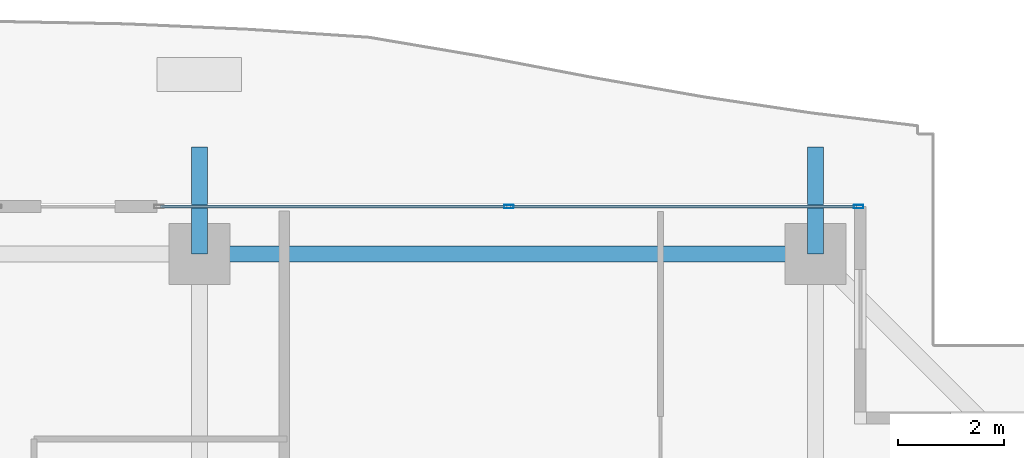
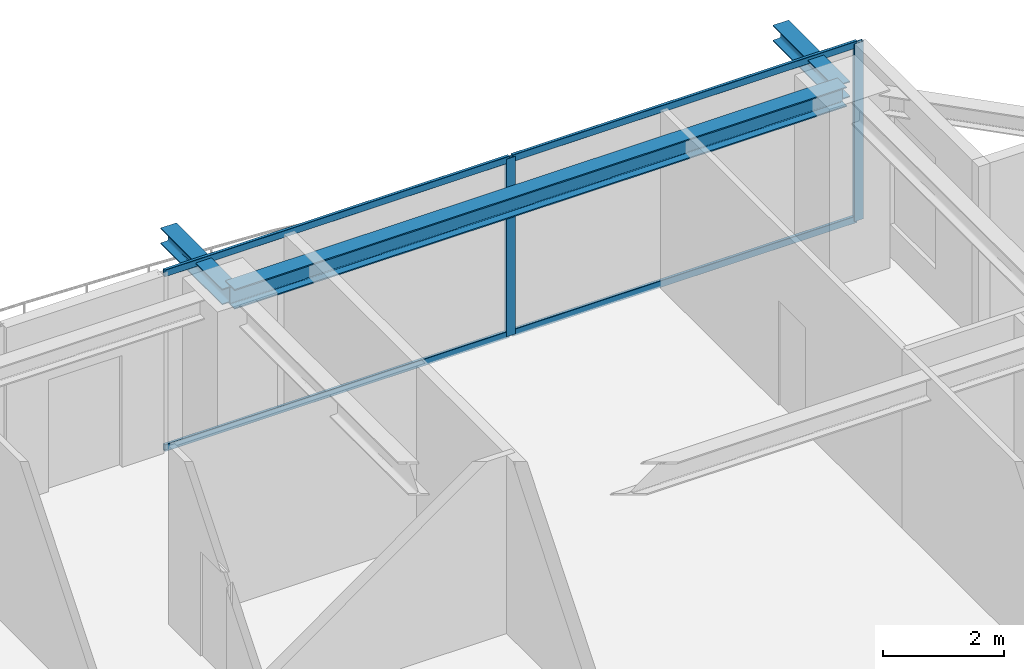
# One storey, part 25 of 39: 6 members, 3 beams, 1 element without a shape of its own.
"""IFC4 building model written with IfcOpenShell, lengths in metres."""

from ifc_helpers import new_model, si_unit, direction, frame, origin, origin_2d, place, context, subcontext, project, spatial, hollow_rectangle, i_section, extrude, source, transform, mapped, material, layer, layer_set, material_profile, profile_set, type_object, element, aggregate, save


model = new_model("IFC4")

# Units and contexts
model_context = context("Model", 3, precision=1e-05, world=origin(), true_north=direction((0.0, 1.0)))
body_context = subcontext(model_context, "Body", "Model", "MODEL_VIEW")
ifc_project = project(units=[si_unit("LENGTHUNIT", "METRE"), si_unit("AREAUNIT", "SQUARE_METRE"), si_unit("VOLUMEUNIT", "CUBIC_METRE"), si_unit("PLANEANGLEUNIT", "RADIAN"), si_unit("MASSUNIT", "GRAM", prefix="KILO")], contexts=[model_context])

# Site, building, storey
site_placement = place(None, origin())
site = spatial("IfcSite", under=ifc_project, at=site_placement, CompositionType="ELEMENT")
building_placement = place(site_placement, origin())
building = spatial("IfcBuilding", under=site, at=building_placement, Name="Serunith Strait Residences", CompositionType="ELEMENT")
storey_placement = place(building_placement, frame((0.0, 0.0, 222.0)))
storey = spatial("IfcBuildingStorey", under=building, at=storey_placement, Name="L55", CompositionType="ELEMENT", Elevation=222.0)

# Beams
ifc_material_1 = material(Name="Steel S355J2", Category="steel")
ifc_material_profile_1 = material_profile(ifc_material_1, i_section(OverallWidth=0.300048828125, OverallDepth=0.39990234375, WebThickness=0.013427734375, FlangeThickness=0.02392578125, FilletRadius=0.027099609375, at=origin_2d()), Name="HEB 400")
ifc_profile_set_1 = profile_set([ifc_material_profile_1], Name="Steel S355J2")
beam_type_1 = type_object("IfcBeamType", Name="BM-HEB400", PredefinedType="BEAM", material=ifc_profile_set_1)
shared_shape_1 = source(origin(), body_context, "Body", "SweptSolid", [
    extrude(i_section(OverallWidth=0.300048828125, OverallDepth=0.39990234375, WebThickness=0.013427734375, FlangeThickness=0.02392578125, FilletRadius=0.027099609375, at=origin_2d()), origin(), (0.0, 0.0, 1.0), 11.650146484375),
])
beam_placement = place(storey_placement, frame((48.550048828125, 48.300048828125, 3.386962890625), z_axis=(-1.0, 0.0, 0.0), x_axis=(0.0, -1.0, 0.0)))
element("IfcBeam", 1, at=beam_placement, inside=storey, type_object=beam_type_1, Name="L55 Perimeter Ring Beam 09", PredefinedType="BEAM", context=body_context, shape_type="MappedRepresentation", body=[
    mapped(shared_shape_1, transform((0.0, 0.0, 0.0), scale=1.0)),
])
ifc_material_profile_2 = material_profile(ifc_material_1, i_section(OverallWidth=0.300048828125, OverallDepth=0.320068359375, WebThickness=0.011474609375, FlangeThickness=0.0205078125, FilletRadius=0.027099609375, at=origin_2d()), Name="HEB 320")
ifc_profile_set_2 = profile_set([ifc_material_profile_2], Name="Steel S355J2")
beam_type_2 = type_object("IfcBeamType", Name="BM-HEB320", PredefinedType="BEAM", material=ifc_profile_set_2)
shared_shape_2 = source(origin(), body_context, "Body", "SweptSolid", [
    extrude(i_section(OverallWidth=0.300048828125, OverallDepth=0.320068359375, WebThickness=0.011474609375, FlangeThickness=0.0205078125, FilletRadius=0.027099609375, at=origin_2d()), origin(), (0.0, 0.0, 1.0), 2.030029296875),
])
for number, where, z_axis, x_axis, name in (
    (2, (36.89990234375, 48.300048828125, 3.39697265625), (0.0, 1.0, 0.0), (-1.0, 0.0, 0.0), "L56 Cantilevered Balcony Rib TC-N3"),
    (3, (48.550048828125, 48.300048828125, 3.39697265625), (0.0, 1.0, 0.0), (-1.0, 0.0, 0.0), "L56 Cantilevered Balcony Rib TC-N4"),
):
    element("IfcBeam", number, at=place(storey_placement, frame(where, z_axis=z_axis, x_axis=x_axis)), inside=storey, type_object=beam_type_2, Name=name, PredefinedType="BEAM", context=body_context, shape_type="MappedRepresentation", body=[
        mapped(shared_shape_2, transform((0.0, 0.0, 0.0), scale=1.0)),
    ])

# Curtain wall, members
ifc_material_2 = material(Name="Pale-Champagne Anodised Aluminium", Category="aluminium")
ifc_layer = layer(ifc_material_2, 0.199951171875, Name="Pale-Champagne Anodised Aluminium")
ifc_layer_set = layer_set([ifc_layer], Name="Pale-Champagne Anodised Aluminium")
curtain_wall_type = type_object("IfcCurtainWallType", Name="CW-SYS4", PredefinedType="NOTDEFINED", material=ifc_layer_set)
curtain_wall_placement = place(storey_placement, origin())
curtain_wall = element("IfcCurtainWall", 4, at=curtain_wall_placement, inside=storey, type_object=curtain_wall_type, Name="L55 N Unitised Fritted Curtain Wall", PredefinedType="NOTDEFINED")
ifc_material_profile_3 = material_profile(ifc_material_2, hollow_rectangle(XDim=0.06494140625, YDim=0.179931640625, WallThickness=0.00341796875, InnerFilletRadius=0.00537109375, OuterFilletRadius=0.0087890625, at=origin_2d()), Name="ALU 180x65x3.5")
ifc_profile_set_3 = profile_set([ifc_material_profile_3], Name="Pale-Champagne Anodised Aluminium")
member_type_1 = type_object("IfcMemberType", Name="CW-SYS4-MULL", PredefinedType="MULLION", material=ifc_profile_set_3)
shared_shape_3 = source(origin(), body_context, "Body", "SweptSolid", [
    extrude(hollow_rectangle(XDim=0.06494140625, YDim=0.179931640625, WallThickness=0.00341796875, InnerFilletRadius=0.00537109375, OuterFilletRadius=0.0087890625, at=origin_2d()), origin(), (0.0, 0.0, 1.0), 3.574951171875),
])
member_1_placement = place(storey_placement, frame((49.367431640625, 49.199951171875, 0.0), z_axis=(0.0, 0.0, 1.0), x_axis=(0.0, -1.0, 0.0)))
member_1 = element("IfcMember", 5, at=member_1_placement, type_object=member_type_1, Name="CW-4 mullion 1", PredefinedType="MULLION", context=body_context, shape_type="MappedRepresentation", body=[
    mapped(shared_shape_3, transform((0.0, 0.0, 0.0), scale=1.0)),
])
member_2_placement = place(storey_placement, frame((42.75, 49.199951171875, 0.0), z_axis=(0.0, 0.0, 1.0), x_axis=(0.0, -1.0, 0.0)))
member_2 = element("IfcMember", 6, at=member_2_placement, type_object=member_type_1, Name="CW-4 mullion 2", PredefinedType="MULLION", context=body_context, shape_type="MappedRepresentation", body=[
    mapped(shared_shape_3, transform((0.0, 0.0, 0.0), scale=1.0)),
])
ifc_material_profile_4 = material_profile(ifc_material_2, hollow_rectangle(XDim=0.06005859375, YDim=0.139892578125, WallThickness=0.00341796875, InnerFilletRadius=0.00537109375, OuterFilletRadius=0.0087890625, at=origin_2d()), Name="ALU 140x60x3.5")
ifc_profile_set_4 = profile_set([ifc_material_profile_4], Name="Pale-Champagne Anodised Aluminium")
member_type_2 = type_object("IfcMemberType", Name="CW-SYS4-TRAN", PredefinedType="USERDEFINED", material=ifc_profile_set_4)
shared_shape_4 = source(origin(), body_context, "Body", "SweptSolid", [
    extrude(hollow_rectangle(XDim=0.06005859375, YDim=0.139892578125, WallThickness=0.00341796875, InnerFilletRadius=0.00537109375, OuterFilletRadius=0.0087890625, at=origin_2d()), origin(), (0.0, 0.0, 1.0), 6.552490234375),
])
member_3_placement = place(storey_placement, frame((49.3349609375, 49.199951171875, 0.030029296875), z_axis=(-1.0, 0.0, 0.0), x_axis=(0.0, -1.0, 0.0)))
member_3 = element("IfcMember", 7, at=member_3_placement, type_object=member_type_2, Name="CW-4 transom 1.1", ObjectType="TRANSOM", PredefinedType="USERDEFINED", context=body_context, shape_type="MappedRepresentation", body=[
    mapped(shared_shape_4, transform((0.0, 0.0, 0.0), scale=1.0)),
])
member_4_placement = place(storey_placement, frame((49.3349609375, 49.199951171875, 3.544921875), z_axis=(-1.0, 0.0, 0.0), x_axis=(0.0, -1.0, 0.0)))
member_4 = element("IfcMember", 8, at=member_4_placement, type_object=member_type_2, Name="CW-4 transom 1.2", ObjectType="TRANSOM", PredefinedType="USERDEFINED", context=body_context, shape_type="MappedRepresentation", body=[
    mapped(shared_shape_4, transform((0.0, 0.0, 0.0), scale=1.0)),
])
member_5_placement = place(storey_placement, frame((42.717529296875, 49.199951171875, 0.030029296875), z_axis=(-1.0, 0.0, 0.0), x_axis=(0.0, -1.0, 0.0)))
member_5 = element("IfcMember", 9, at=member_5_placement, type_object=member_type_2, Name="CW-4 transom 2.1", ObjectType="TRANSOM", PredefinedType="USERDEFINED", context=body_context, shape_type="MappedRepresentation", body=[
    mapped(shared_shape_4, transform((0.0, 0.0, 0.0), scale=1.0)),
])
member_6_placement = place(storey_placement, frame((42.717529296875, 49.199951171875, 3.544921875), z_axis=(-1.0, 0.0, 0.0), x_axis=(0.0, -1.0, 0.0)))
member_6 = element("IfcMember", 10, at=member_6_placement, type_object=member_type_2, Name="CW-4 transom 2.2", ObjectType="TRANSOM", PredefinedType="USERDEFINED", context=body_context, shape_type="MappedRepresentation", body=[
    mapped(shared_shape_4, transform((0.0, 0.0, 0.0), scale=1.0)),
])
aggregate(curtain_wall, [member_1, member_2, member_3, member_4, member_5, member_6])

save(model, "model.ifc")
